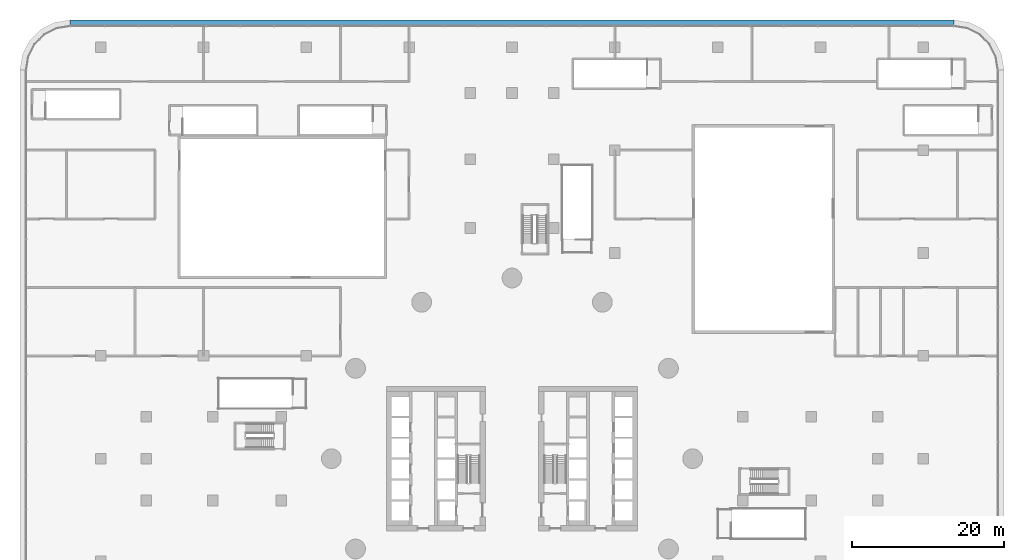
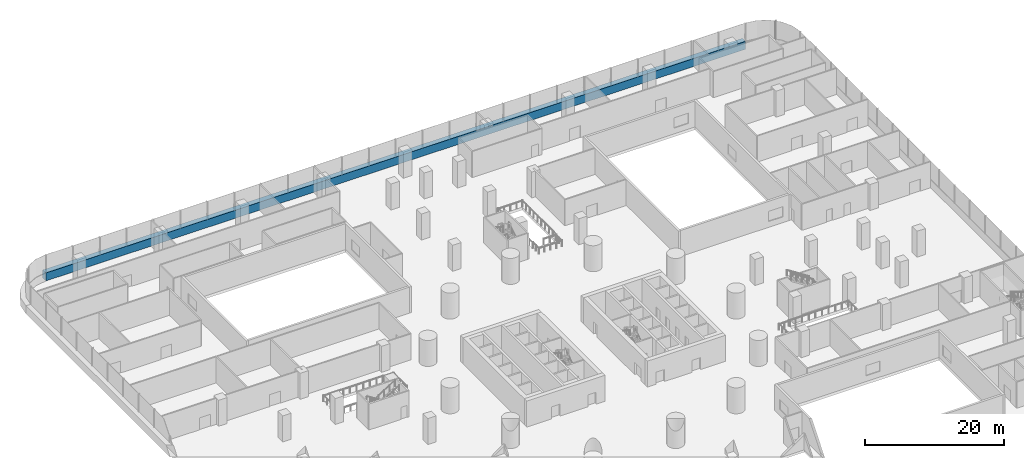
# One storey, part 17 of 38: 1 member, 1 element without a shape of its own.
"""IFC4 building model written with IfcOpenShell, lengths in metres."""

from ifc_helpers import new_model, si_unit, direction, frame, origin, place, context, subcontext, project, spatial, polyline, outline, extrude, material, layer, layer_set, type_object, element, aggregate, save


model = new_model("IFC4")

# Units and contexts
model_context = context("Model", 3, precision=1e-05, world=origin(), true_north=direction((0.0, 1.0)))
body_context = subcontext(model_context, "Body", "Model", "MODEL_VIEW")
ifc_project = project(units=[si_unit("LENGTHUNIT", "METRE"), si_unit("AREAUNIT", "SQUARE_METRE"), si_unit("VOLUMEUNIT", "CUBIC_METRE"), si_unit("PLANEANGLEUNIT", "RADIAN"), si_unit("MASSUNIT", "GRAM", prefix="KILO")], contexts=[model_context])

# Site, building, storey
site_placement = place(None, origin())
site = spatial("IfcSite", under=ifc_project, at=site_placement, CompositionType="ELEMENT")
building_placement = place(site_placement, origin())
building = spatial("IfcBuilding", under=site, at=building_placement, Name="Tamarind Cross Interchange Tower", CompositionType="ELEMENT")
storey_placement = place(building_placement, frame((0.0, 0.0, 20.0)))
storey = spatial("IfcBuildingStorey", under=building, at=storey_placement, Name="L03", CompositionType="ELEMENT", Elevation=20.0)

# Curtain wall, member
ifc_material_1 = material(Name="Aluminium 6063-T6", Category="aluminium")
ifc_layer = layer(ifc_material_1, 0.199951171875)
ifc_layer_set = layer_set([ifc_layer], Name="Aluminium 6063-T6")
curtain_wall_type = type_object("IfcCurtainWallType", Name="Podium shopfront and station curtain wall", PredefinedType="NOTDEFINED", material=ifc_layer_set)
curtain_wall_placement = place(storey_placement, origin())
curtain_wall = element("IfcCurtainWall", 1, at=curtain_wall_placement, inside=storey, type_object=curtain_wall_type, Name="CWS-L03-02", PredefinedType="NOTDEFINED")
ifc_material_2 = material(Name="Aluminium and insulated spandrel panel", Category="aluminium")
member_type = type_object("IfcMemberType", Name="Floor-edge blade transom", PredefinedType="USERDEFINED", material=ifc_material_2)
member_placement = place(storey_placement, origin())
member = element("IfcMember", 2, at=member_placement, type_object=member_type, Name="CWT-L03-02", ObjectType="TRANSOM", PredefinedType="USERDEFINED", context=body_context, shape_type="SweptSolid", body=[
    extrude(outline(polyline([(57.976318359375, 56.699951171875), (-57.976318359375, 56.699951171875), (-58.047119140625, 57.60009765625), (58.047119140625, 57.60009765625), (57.976318359375, 56.699951171875)])), origin(), (0.0, 0.0, 1.0), 1.39990234375),
])
aggregate(curtain_wall, [member])

save(model, "model.ifc")
